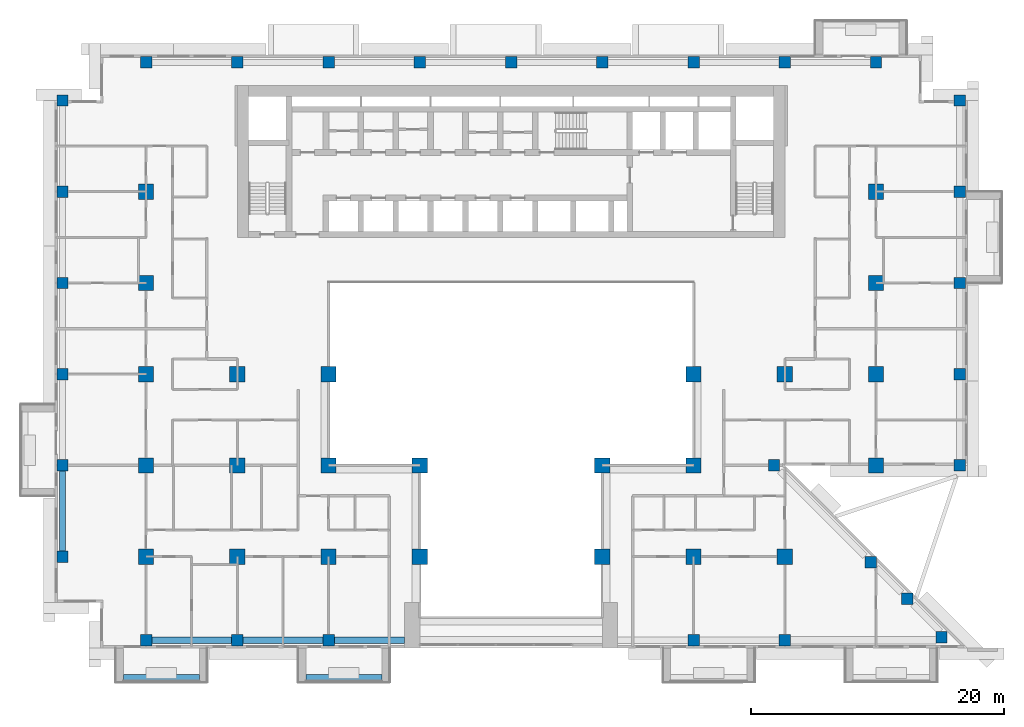
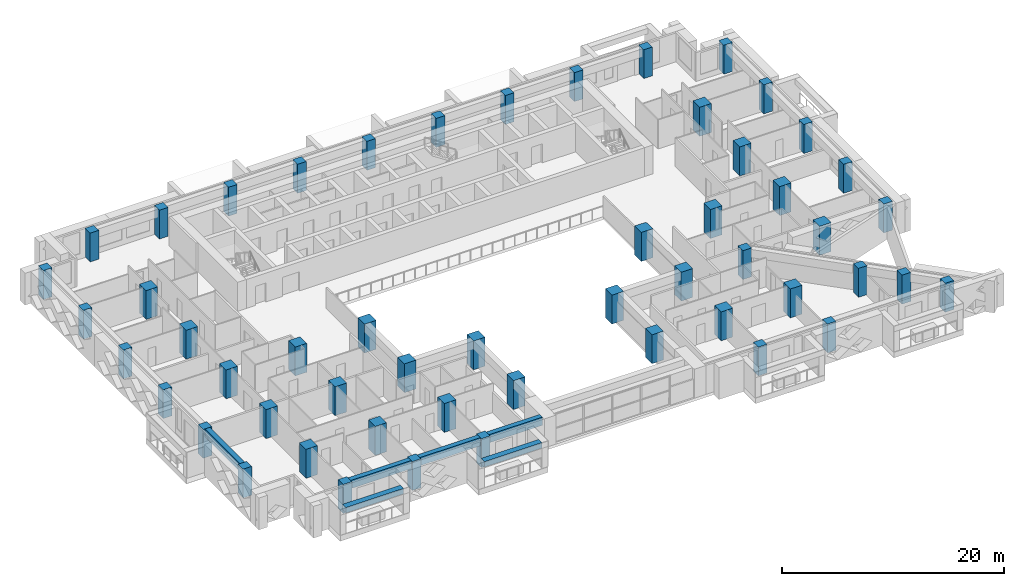
# One storey, part 1 of 17: 53 columns, 6 beams.
"""IFC4 building model written with IfcOpenShell, lengths in metres."""

from ifc_helpers import new_model, si_unit, direction, frame, origin, origin_2d, place, context, subcontext, project, spatial, rectangle, extrude, source, transform, mapped, material, material_profile, profile_set, type_object, element, save


model = new_model("IFC4")

# Units and contexts
model_context = context("Model", 3, precision=1e-05, world=origin(), true_north=direction((0.0, 1.0)))
body_context = subcontext(model_context, "Body", "Model", "MODEL_VIEW")
ifc_project = project(units=[si_unit("LENGTHUNIT", "METRE"), si_unit("AREAUNIT", "SQUARE_METRE"), si_unit("VOLUMEUNIT", "CUBIC_METRE"), si_unit("PLANEANGLEUNIT", "RADIAN"), si_unit("MASSUNIT", "GRAM", prefix="KILO")], contexts=[model_context])

# Site, building, storey
site_placement = place(None, origin())
site = spatial("IfcSite", under=ifc_project, at=site_placement, CompositionType="ELEMENT")
building_placement = place(site_placement, origin())
building = spatial("IfcBuilding", under=site, at=building_placement, Name="Saffron Iwan Residences", CompositionType="ELEMENT")
storey_placement = place(building_placement, frame((0.0, 0.0, 97.0)))
storey = spatial("IfcBuildingStorey", under=building, at=storey_placement, Name="L25", CompositionType="ELEMENT", Elevation=97.0)

# Columns
ifc_material_1 = material(Name="Concrete C60/75", Category="concrete")
ifc_material_profile_1 = material_profile(ifc_material_1, rectangle(XDim=0.89990234375, YDim=0.89990234375, at=origin_2d()), Name="RC 900x900")
ifc_profile_set_1 = profile_set([ifc_material_profile_1], Name="Concrete C60/75")
column_type_1 = type_object("IfcColumnType", Name="COL RC 900x900 C60/75 3180 HIGH", PredefinedType="COLUMN", material=ifc_profile_set_1)
shared_shape_1 = source(origin(), body_context, "Body", "SweptSolid", [
    extrude(rectangle(XDim=0.89990234375, YDim=0.89990234375, at=origin_2d()), origin(), (0.0, 0.0, 1.0), 3.179931640625),
])
for number, where, z_axis, x_axis, name in (
    (1, (21.60009765625, 34.199951171875, 0.0), (0.0, 0.0, 1.0), (1.0, 0.0, 0.0), "Column C038"),
    (2, (28.800048828125, 34.199951171875, 0.0), (0.0, 0.0, 1.0), (1.0, 0.0, 0.0), "Column C039"),
    (3, (36.0, 34.199951171875, 0.0), (0.0, 0.0, 1.0), (1.0, 0.0, 0.0), "Column C040"),
    (4, (64.800048828125, 34.199951171875, 0.0), (0.0, 0.0, 1.0), (1.0, 0.0, 0.0), "Column C041"),
    (5, (72.0, 34.199951171875, 0.0), (0.0, 0.0, 1.0), (1.0, 0.0, 0.0), "Column C042"),
    (6, (84.367431640625, 34.44189453125, 0.0), (0.0, 0.0, 1.0), (1.0, 0.0, 0.0), "Column C043"),
    (7, (81.65576171875, 37.49560546875, 0.0), (0.0, 0.0, 1.0), (1.0, 0.0, 0.0), "Column C044"),
    (8, (78.775634765625, 40.375732421875, 0.0), (0.0, 0.0, 1.0), (1.0, 0.0, 0.0), "Column C047"),
    (9, (15.0, 40.800048828125, 0.0), (0.0, 0.0, 1.0), (1.0, 0.0, 0.0), "Column C048"),
    (10, (15.0, 48.0, 0.0), (0.0, 0.0, 1.0), (1.0, 0.0, 0.0), "Column C061"),
    (11, (71.14990234375, 48.0, 0.0), (0.0, 0.0, 1.0), (1.0, 0.0, 0.0), "Column C070"),
    (12, (85.800048828125, 48.0, 0.0), (0.0, 0.0, 1.0), (1.0, 0.0, 0.0), "Column C074"),
    (13, (15.0, 55.199951171875, 0.0), (0.0, 0.0, 1.0), (1.0, 0.0, 0.0), "Column C077"),
    (14, (85.800048828125, 55.199951171875, 0.0), (0.0, 0.0, 1.0), (1.0, 0.0, 0.0), "Column C086"),
    (15, (15.0, 62.39990234375, 0.0), (0.0, 0.0, 1.0), (1.0, 0.0, 0.0), "Column C089"),
    (16, (85.800048828125, 62.39990234375, 0.0), (0.0, 0.0, 1.0), (1.0, 0.0, 0.0), "Column C094"),
    (17, (15.0, 69.60009765625, 0.0), (0.0, 0.0, 1.0), (1.0, 0.0, 0.0), "Column C097"),
    (18, (85.800048828125, 69.60009765625, 0.0), (0.0, 0.0, 1.0), (1.0, 0.0, 0.0), "Column C102"),
    (19, (15.0, 76.800048828125, 0.0), (0.0, 0.0, 1.0), (1.0, 0.0, 0.0), "Column C105"),
    (20, (85.800048828125, 76.800048828125, 0.0), (0.0, 0.0, 1.0), (1.0, 0.0, 0.0), "Column C110"),
    (21, (21.60009765625, 79.800048828125, 0.0), (0.0, 0.0, 1.0), (1.0, 0.0, 0.0), "Column C113"),
    (22, (28.800048828125, 79.800048828125, 0.0), (0.0, 0.0, 1.0), (1.0, 0.0, 0.0), "Column C115"),
    (23, (36.0, 79.800048828125, 0.0), (0.0, 0.0, 1.0), (1.0, 0.0, 0.0), "Column C116"),
    (24, (43.199951171875, 79.800048828125, 0.0), (0.0, 0.0, 1.0), (1.0, 0.0, 0.0), "Column C117"),
    (25, (50.39990234375, 79.800048828125, 0.0), (0.0, 0.0, 1.0), (1.0, 0.0, 0.0), "Column C118"),
    (26, (57.60009765625, 79.800048828125, 0.0), (0.0, 0.0, 1.0), (1.0, 0.0, 0.0), "Column C119"),
    (27, (64.800048828125, 79.800048828125, 0.0), (0.0, 0.0, 1.0), (1.0, 0.0, 0.0), "Column C120"),
    (28, (72.0, 79.800048828125, 0.0), (0.0, 0.0, 1.0), (1.0, 0.0, 0.0), "Column C121"),
    (29, (79.199951171875, 79.800048828125, 0.0), (0.0, 0.0, 1.0), (1.0, 0.0, 0.0), "Column C123"),
):
    element("IfcColumn", number, at=place(storey_placement, frame(where, z_axis=z_axis, x_axis=x_axis)), inside=storey, type_object=column_type_1, Name=name, PredefinedType="COLUMN", context=body_context, shape_type="MappedRepresentation", body=[
        mapped(shared_shape_1, transform((0.0, 0.0, 0.0))),
    ])
ifc_material_profile_2 = material_profile(ifc_material_1, rectangle(XDim=1.199951171875, YDim=1.199951171875, at=origin_2d()), Name="RC 1200x1200")
ifc_profile_set_2 = profile_set([ifc_material_profile_2], Name="Concrete C60/75")
column_type_2 = type_object("IfcColumnType", Name="COL RC 1200x1200 C60/75 3180 HIGH", PredefinedType="COLUMN", material=ifc_profile_set_2)
shared_shape_2 = source(origin(), body_context, "Body", "SweptSolid", [
    extrude(rectangle(XDim=1.199951171875, YDim=1.199951171875, at=origin_2d()), origin(), (0.0, 0.0, 1.0), 3.179931640625),
])
for number, where, z_axis, x_axis, name in (
    (30, (21.60009765625, 40.800048828125, 0.0), (0.0, 0.0, 1.0), (1.0, 0.0, 0.0), "Column C049"),
    (31, (28.800048828125, 40.800048828125, 0.0), (0.0, 0.0, 1.0), (1.0, 0.0, 0.0), "Column C051"),
    (32, (36.0, 40.800048828125, 0.0), (0.0, 0.0, 1.0), (1.0, 0.0, 0.0), "Column C052"),
    (33, (43.199951171875, 40.800048828125, 0.0), (0.0, 0.0, 1.0), (1.0, 0.0, 0.0), "Column C053"),
    (34, (57.60009765625, 40.800048828125, 0.0), (0.0, 0.0, 1.0), (1.0, 0.0, 0.0), "Column C054"),
    (35, (64.800048828125, 40.800048828125, 0.0), (0.0, 0.0, 1.0), (1.0, 0.0, 0.0), "Column C055"),
    (36, (72.0, 40.800048828125, 0.0), (0.0, 0.0, 1.0), (1.0, 0.0, 0.0), "Column C056"),
    (37, (21.60009765625, 48.0, 0.0), (0.0, 0.0, 1.0), (1.0, 0.0, 0.0), "Column C063"),
    (38, (28.800048828125, 48.0, 0.0), (0.0, 0.0, 1.0), (1.0, 0.0, 0.0), "Column C064"),
    (39, (36.0, 48.0, 0.0), (0.0, 0.0, 1.0), (1.0, 0.0, 0.0), "Column C065"),
    (40, (43.199951171875, 48.0, 0.0), (0.0, 0.0, 1.0), (1.0, 0.0, 0.0), "Column C066"),
    (41, (57.60009765625, 48.0, 0.0), (0.0, 0.0, 1.0), (1.0, 0.0, 0.0), "Column C068"),
    (42, (64.800048828125, 48.0, 0.0), (0.0, 0.0, 1.0), (1.0, 0.0, 0.0), "Column C069"),
    (43, (79.199951171875, 48.0, 0.0), (0.0, 0.0, 1.0), (1.0, 0.0, 0.0), "Column C072"),
    (44, (21.60009765625, 55.199951171875, 0.0), (0.0, 0.0, 1.0), (1.0, 0.0, 0.0), "Column C079"),
    (45, (28.800048828125, 55.199951171875, 0.0), (0.0, 0.0, 1.0), (1.0, 0.0, 0.0), "Column C080"),
    (46, (36.0, 55.199951171875, 0.0), (0.0, 0.0, 1.0), (1.0, 0.0, 0.0), "Column C081"),
    (47, (64.800048828125, 55.199951171875, 0.0), (0.0, 0.0, 1.0), (1.0, 0.0, 0.0), "Column C082"),
    (48, (72.0, 55.199951171875, 0.0), (0.0, 0.0, 1.0), (1.0, 0.0, 0.0), "Column C083"),
    (49, (79.199951171875, 55.199951171875, 0.0), (0.0, 0.0, 1.0), (1.0, 0.0, 0.0), "Column C084"),
    (50, (21.60009765625, 62.39990234375, 0.0), (0.0, 0.0, 1.0), (1.0, 0.0, 0.0), "Column C091"),
    (51, (79.199951171875, 62.39990234375, 0.0), (0.0, 0.0, 1.0), (1.0, 0.0, 0.0), "Column C092"),
    (52, (21.60009765625, 69.60009765625, 0.0), (0.0, 0.0, 1.0), (1.0, 0.0, 0.0), "Column C099"),
    (53, (79.199951171875, 69.60009765625, 0.0), (0.0, 0.0, 1.0), (1.0, 0.0, 0.0), "Column C100"),
):
    element("IfcColumn", number, at=place(storey_placement, frame(where, z_axis=z_axis, x_axis=x_axis)), inside=storey, type_object=column_type_2, Name=name, PredefinedType="COLUMN", context=body_context, shape_type="MappedRepresentation", body=[
        mapped(shared_shape_2, transform((0.0, 0.0, 0.0))),
    ])

# Beams
ifc_material_profile_3 = material_profile(ifc_material_1, rectangle(XDim=0.5, YDim=0.89990234375, at=origin_2d()), Name="RC 500x900")
ifc_profile_set_3 = profile_set([ifc_material_profile_3], Name="Concrete C60/75")
beam_type_1 = type_object("IfcBeamType", Name="SPANDREL BEAM RC 500x900 C60/75 TOP 3180", PredefinedType="SPANDREL", material=ifc_profile_set_3)
shared_shape_3 = source(origin(), body_context, "Body", "SweptSolid", [
    extrude(rectangle(XDim=0.5, YDim=0.89990234375, at=origin_2d()), origin(), (0.0, 0.0, 1.0), 6.300048828125),
])
for number, where, z_axis, x_axis, name in (
    (54, (28.35009765625, 34.199951171875, 2.72998046875), (-1.0, 0.0, 0.0), (0.0, -1.0, 0.0), "Spandrel beam"),
    (55, (35.550048828125, 34.199951171875, 2.72998046875), (-1.0, 0.0, 0.0), (0.0, -1.0, 0.0), "Spandrel beam"),
    (56, (15.0, 41.25, 2.72998046875), (0.0, 1.0, 0.0), (-1.0, 0.0, 0.0), "Spandrel beam"),
):
    element("IfcBeam", number, at=place(storey_placement, frame(where, z_axis=z_axis, x_axis=x_axis)), inside=storey, type_object=beam_type_1, Name=name, PredefinedType="SPANDREL", context=body_context, shape_type="MappedRepresentation", body=[
        mapped(shared_shape_3, transform((0.0, 0.0, 0.0))),
    ])
shared_shape_4 = source(origin(), body_context, "Body", "SweptSolid", [
    extrude(rectangle(XDim=0.5, YDim=0.89990234375, at=origin_2d()), origin(), (0.0, 0.0, 1.0), 5.550048828125),
])
beam_placement = place(storey_placement, frame((42.0, 34.199951171875, 2.72998046875), z_axis=(-1.0, 0.0, 0.0), x_axis=(0.0, -1.0, 0.0)))
element("IfcBeam", 57, at=beam_placement, inside=storey, type_object=beam_type_1, Name="Spandrel beam", PredefinedType="SPANDREL", context=body_context, shape_type="MappedRepresentation", body=[
    mapped(shared_shape_4, transform((0.0, 0.0, 0.0))),
])
ifc_material_2 = material(Name="Concrete C50/60 white painted", Category="concrete")
ifc_material_profile_4 = material_profile(ifc_material_2, rectangle(XDim=0.60009765625, YDim=0.60009765625, at=origin_2d()), Name="BALCONY FASCIA BEAM 600 x 600")
ifc_profile_set_4 = profile_set([ifc_material_profile_4], Name="Concrete C50/60 white painted")
beam_type_2 = type_object("IfcBeamType", Name="BALCONY FASCIA BEAM 600 x 600", PredefinedType="BEAM", material=ifc_profile_set_4)
shared_shape_5 = source(origin(), body_context, "Body", "SweptSolid", [
    extrude(rectangle(XDim=0.60009765625, YDim=0.60009765625, at=origin_2d()), origin(), (0.0, 0.0, 1.0), 6.0),
])
for number, where, z_axis, x_axis, name in (
    (58, (19.800048828125, 31.199951171875, 2.550048828125), (1.0, 0.0, 0.0), (0.0, 1.0, 0.0), "Balcony fascia beam L25 11-0"),
    (59, (34.199951171875, 31.199951171875, 2.550048828125), (1.0, 0.0, 0.0), (0.0, 1.0, 0.0), "Balcony fascia beam L25 11-1"),
):
    element("IfcBeam", number, at=place(storey_placement, frame(where, z_axis=z_axis, x_axis=x_axis)), inside=storey, type_object=beam_type_2, Name=name, PredefinedType="BEAM", context=body_context, shape_type="MappedRepresentation", body=[
        mapped(shared_shape_5, transform((0.0, 0.0, 0.0))),
    ])

save(model, "model.ifc")
